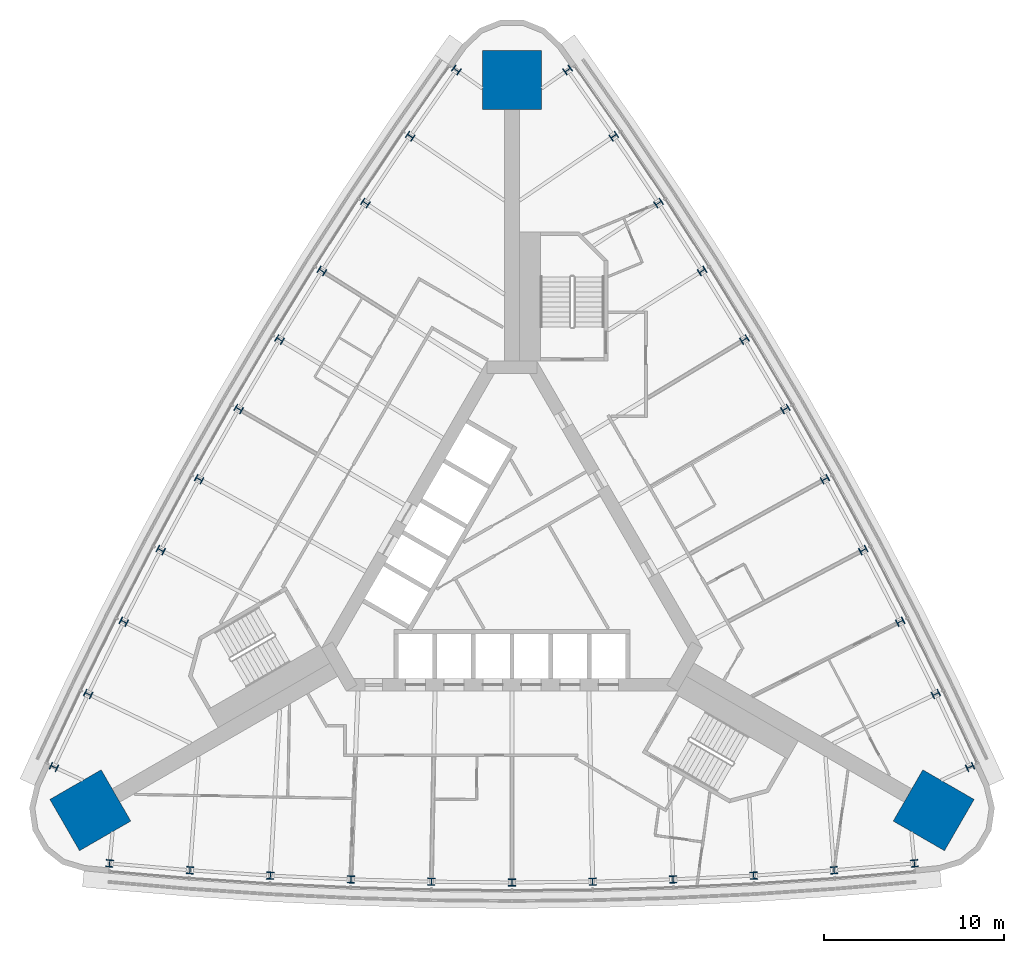
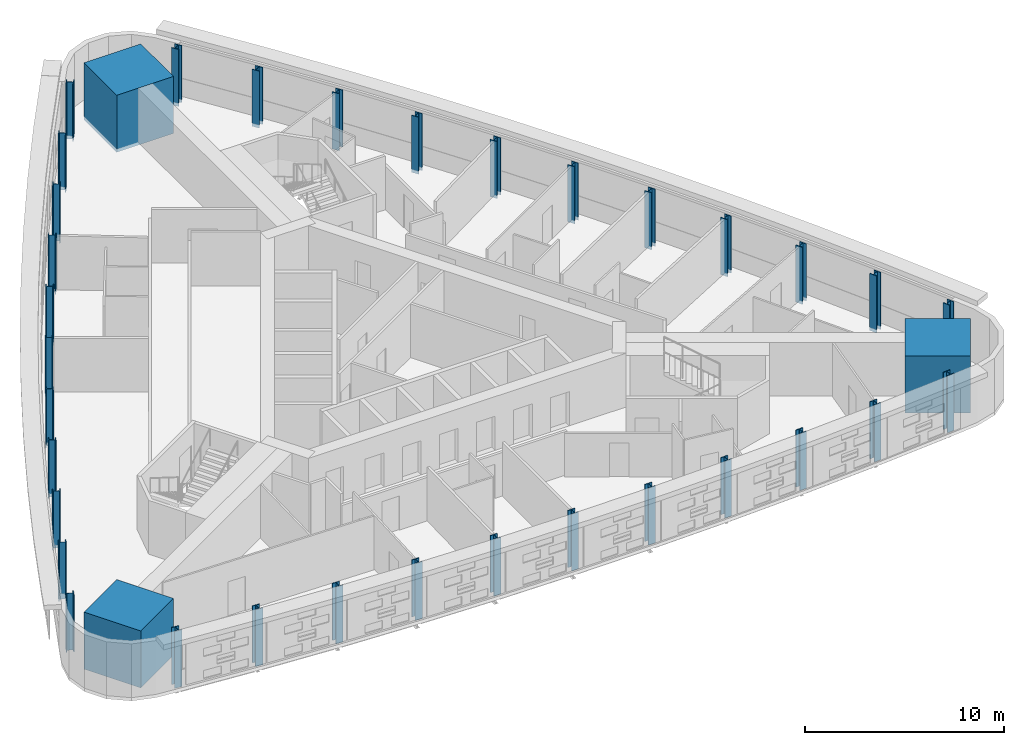
# One storey, part 1 of 15: 36 columns.
"""IFC4 building model written with IfcOpenShell, lengths in metres."""

from ifc_helpers import new_model, si_unit, direction, frame, origin, origin_2d, place, context, subcontext, project, spatial, rectangle, i_section, extrude, material, material_profile, profile_set, type_object, element, save


model = new_model("IFC4")

# Units and contexts
model_context = context("Model", 3, precision=1e-05, world=origin(), true_north=direction((0.0, 1.0)))
body_context = subcontext(model_context, "Body", "Model", "MODEL_VIEW")
ifc_project = project(units=[si_unit("LENGTHUNIT", "METRE"), si_unit("AREAUNIT", "SQUARE_METRE"), si_unit("VOLUMEUNIT", "CUBIC_METRE"), si_unit("PLANEANGLEUNIT", "RADIAN"), si_unit("MASSUNIT", "GRAM", prefix="KILO")], contexts=[model_context])

# Site, building, storey
site_placement = place(None, origin())
site = spatial("IfcSite", under=ifc_project, at=site_placement, CompositionType="ELEMENT")
building_placement = place(site_placement, origin())
building = spatial("IfcBuilding", under=site, at=building_placement, Name="Noor Cloister Tower", CompositionType="ELEMENT")
storey_placement = place(building_placement, frame((0.0, 0.0, 49.199951171875)))
storey = spatial("IfcBuildingStorey", under=building, at=storey_placement, Name="L12", CompositionType="ELEMENT", Elevation=49.199951171875)

# Columns
ifc_material_1 = material(Name="Steel ASTM A992 Gr 50", Category="steel")
ifc_material_profile_1 = material_profile(ifc_material_1, i_section(OverallWidth=0.404052734375, OverallDepth=0.406005859375, WebThickness=0.027099609375, FlangeThickness=0.043701171875, FilletRadius=0.01513671875, at=origin_2d()), Name="W360x347")
ifc_profile_set_1 = profile_set([ifc_material_profile_1], Name="Steel ASTM A992 Gr 50")
column_type_1 = type_object("IfcColumnType", Name="Column W360x347", PredefinedType="COLUMN", material=ifc_profile_set_1)
for number, where, z_axis, x_axis, name in (
    (1, (-3.099853515625, 27.671875, -0.199951171875), (0.0, 0.0, 1.0), (-0.57955151412, -0.81493560634, 0.0), "Column NW 01 L12"),
    (2, (-5.6669921875, 23.988525390625, -0.199951171875), (0.0, 0.0, 1.0), (-0.564033515251, -0.825751895955, 0.0), "Column NW 02 L12"),
    (3, (-8.1640625, 20.257568359375, -0.199951171875), (0.0, 0.0, 1.0), (-0.548313704944, -0.836272731213, 0.0), "Column NW 03 L12"),
    (4, (-10.590087890625, 16.47998046875, -0.199951171875), (0.0, 0.0, 1.0), (-0.532397707783, -0.846494347735, 0.0), "Column NW 04 L12"),
    (5, (-12.9443359375, 12.6572265625, -0.199951171875), (0.0, 0.0, 1.0), (-0.516291218489, -0.856413088241, 0.0), "Column NW 05 L12"),
    (6, (-15.225830078125, 8.79052734375, -0.199951171875), (0.0, 0.0, 1.0), (-0.5, -0.866025403784, 0.0), "Column NW 06 L12"),
    (7, (-17.43359375, 4.881591796875, -0.199951171875), (0.0, 0.0, 1.0), (-0.483529881306, -0.875327855083, 0.0), "Column NW 07 L12"),
    (8, (-19.567138671875, 0.931396484375, -0.199951171875), (0.0, 0.0, 1.0), (-0.466886755407, -0.884317113724, 0.0), "Column NW 08 L12"),
    (9, (-21.625732421875, -3.05859375, -0.199951171875), (0.0, 0.0, 1.0), (-0.450076577251, -0.892989963331, 0.0), "Column NW 09 L12"),
    (10, (-23.608154296875, -7.08642578125, -0.199951171875), (0.0, 0.0, 1.0), (-0.433105361495, -0.901343300771, 0.0), "Column NW 10 L12"),
    (11, (-25.514404296875, -11.1513671875, -0.199951171875), (0.0, 0.0, 1.0), (-0.415979180479, -0.9093741372, 0.0), "Column NW 11 L12"),
    (12, (-22.41455078125, -16.5205078125, -0.199951171875), (0.0, 0.0, 1.0), (0.995530694599, -0.09443853086, 0.0), "Column S 01 L12"),
    (13, (-17.941162109375, -16.902099609375, -0.199951171875), (0.0, 0.0, 1.0), (0.997138876746, -0.075591404816, 0.0), "Column S 02 L12"),
    (14, (-13.461669921875, -17.19921875, -0.199951171875), (0.0, 0.0, 1.0), (0.998390282195, -0.056717232118, 0.0), "Column S 03 L12"),
    (15, (-8.97705078125, -17.411376953125, -0.199951171875), (0.0, 0.0, 1.0), (0.99928446319, -0.037822765989, 0.0), "Column S 04 L12"),
    (16, (-4.4892578125, -17.538818359375, -0.199951171875), (0.0, 0.0, 1.0), (0.999821099795, -0.018914766842, 0.0), "Column S 05 L12"),
    (17, (0.0, -17.5810546875, -0.199951171875), (0.0, 0.0, 1.0), (1.0, 0.0, 0.0), "Column S 06 L12"),
    (18, (4.4892578125, -17.538818359375, -0.199951171875), (0.0, 0.0, 1.0), (0.999821099795, 0.018914766842, 0.0), "Column S 07 L12"),
    (19, (8.97705078125, -17.411376953125, -0.199951171875), (0.0, 0.0, 1.0), (0.99928446319, 0.037822765989, 0.0), "Column S 08 L12"),
    (20, (13.461669921875, -17.19921875, -0.199951171875), (0.0, 0.0, 1.0), (0.998390282195, 0.056717232118, 0.0), "Column S 09 L12"),
    (21, (17.941162109375, -16.902099609375, -0.199951171875), (0.0, 0.0, 1.0), (0.997138876746, 0.075591404816, 0.0), "Column S 10 L12"),
    (22, (22.41455078125, -16.5205078125, -0.199951171875), (0.0, 0.0, 1.0), (0.995530694599, 0.09443853086, 0.0), "Column S 11 L12"),
    (23, (25.514404296875, -11.1513671875, -0.199951171875), (0.0, 0.0, 1.0), (-0.415979180479, 0.9093741372, 0.0), "Column NE 01 L12"),
    (24, (23.608154296875, -7.08642578125, -0.199951171875), (0.0, 0.0, 1.0), (-0.433105361495, 0.901343300771, 0.0), "Column NE 02 L12"),
    (25, (21.625732421875, -3.05859375, -0.199951171875), (0.0, 0.0, 1.0), (-0.450076577251, 0.892989963331, 0.0), "Column NE 03 L12"),
    (26, (19.567138671875, 0.931396484375, -0.199951171875), (0.0, 0.0, 1.0), (-0.466886755407, 0.884317113724, 0.0), "Column NE 04 L12"),
    (27, (17.43359375, 4.881591796875, -0.199951171875), (0.0, 0.0, 1.0), (-0.483529881306, 0.875327855083, 0.0), "Column NE 05 L12"),
    (28, (15.225830078125, 8.79052734375, -0.199951171875), (0.0, 0.0, 1.0), (-0.5, 0.866025403784, 0.0), "Column NE 06 L12"),
    (29, (12.9443359375, 12.6572265625, -0.199951171875), (0.0, 0.0, 1.0), (-0.516291218489, 0.856413088241, 0.0), "Column NE 07 L12"),
    (30, (10.590087890625, 16.47998046875, -0.199951171875), (0.0, 0.0, 1.0), (-0.532397707783, 0.846494347735, 0.0), "Column NE 08 L12"),
    (31, (8.1640625, 20.257568359375, -0.199951171875), (0.0, 0.0, 1.0), (-0.548313704944, 0.836272731213, 0.0), "Column NE 09 L12"),
    (32, (5.6669921875, 23.988525390625, -0.199951171875), (0.0, 0.0, 1.0), (-0.564033515251, 0.825751895955, 0.0), "Column NE 10 L12"),
    (33, (3.099853515625, 27.671875, -0.199951171875), (0.0, 0.0, 1.0), (-0.57955151412, 0.81493560634, 0.0), "Column NE 11 L12"),
):
    element("IfcColumn", number, at=place(storey_placement, frame(where, z_axis=z_axis, x_axis=x_axis)), inside=storey, type_object=column_type_1, Name=name, PredefinedType="COLUMN", context=body_context, shape_type="SweptSolid", body=[
        extrude(i_section(OverallWidth=0.404052734375, OverallDepth=0.406005859375, WebThickness=0.027099609375, FlangeThickness=0.043701171875, FilletRadius=0.01513671875, at=origin_2d()), origin(), (0.0, 0.0, 1.0), 3.5),
    ])
ifc_material_2 = material(Name="Concrete C80/95", Category="concrete")
ifc_material_profile_2 = material_profile(ifc_material_2, rectangle(XDim=3.300048828125, YDim=3.300048828125, at=origin_2d()), Name="RC 3300x3300")
ifc_profile_set_2 = profile_set([ifc_material_profile_2], Name="Concrete C80/95")
column_type_2 = type_object("IfcColumnType", Name="Corner pier 3300 x 3300 C80/95", PredefinedType="COLUMN", material=ifc_profile_set_2)
for number, where, z_axis, x_axis, name in (
    (34, (0.0, 27.1201171875, -0.199951171875), (0.0, 0.0, 1.0), (0.0, 1.0, 0.0), "Corner pier N L12"),
    (35, (-23.486572265625, -13.56005859375, -0.199951171875), (0.0, 0.0, 1.0), (-0.866025403784, -0.5, 0.0), "Corner pier SW L12"),
    (36, (23.486572265625, -13.56005859375, -0.199951171875), (0.0, 0.0, 1.0), (0.866025403784, -0.5, 0.0), "Corner pier SE L12"),
):
    element("IfcColumn", number, at=place(storey_placement, frame(where, z_axis=z_axis, x_axis=x_axis)), inside=storey, type_object=column_type_2, Name=name, PredefinedType="COLUMN", context=body_context, shape_type="SweptSolid", body=[
        extrude(rectangle(XDim=3.300048828125, YDim=3.300048828125, at=origin_2d()), origin(), (0.0, 0.0, 1.0), 3.5),
    ])

save(model, "model.ifc")
